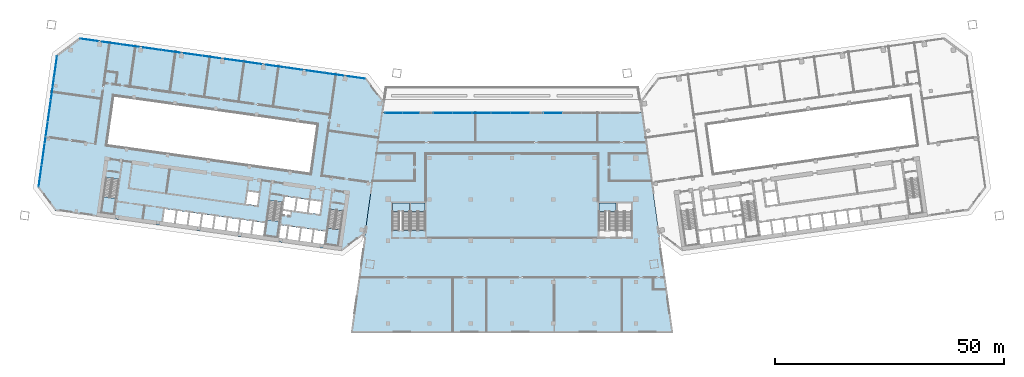
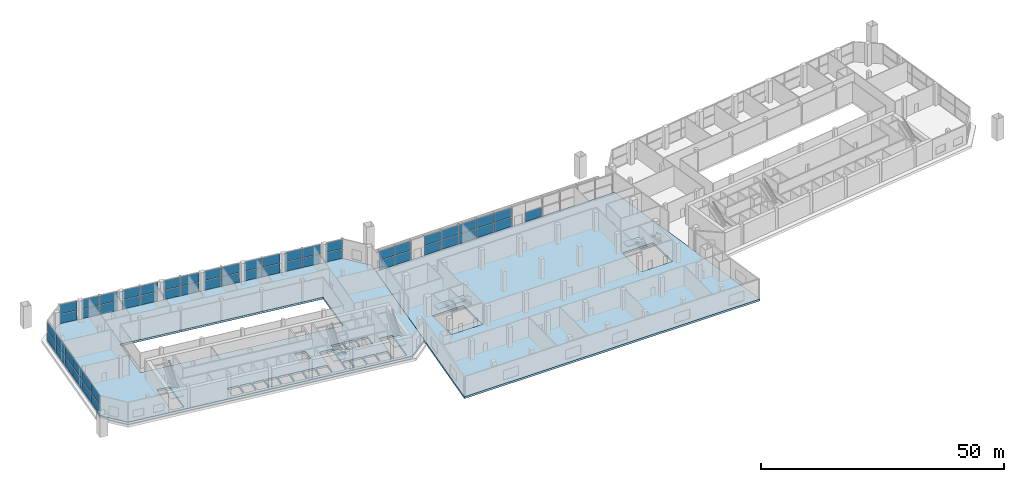
# One storey, part 8 of 23: 55 plates, 9 slabs, 11 elements without a shape of their own.
"""IFC4 building model written with IfcOpenShell, lengths in metres."""

from ifc_helpers import new_model, si_unit, direction, frame, origin, origin_2d, place, context, subcontext, project, spatial, polyline, rectangle, outline, extrude, material, layer, layer_set, type_object, element, aggregate, save


model = new_model("IFC4")

# Units and contexts
model_context = context("Model", 3, precision=1e-05, world=origin(), true_north=direction((0.0, 1.0)))
body_context = subcontext(model_context, "Body", "Model", "MODEL_VIEW")
ifc_project = project(units=[si_unit("LENGTHUNIT", "METRE"), si_unit("AREAUNIT", "SQUARE_METRE"), si_unit("VOLUMEUNIT", "CUBIC_METRE"), si_unit("PLANEANGLEUNIT", "RADIAN"), si_unit("MASSUNIT", "GRAM", prefix="KILO")], contexts=[model_context])

# Site, building, storey
site_placement = place(None, origin())
site = spatial("IfcSite", under=ifc_project, at=site_placement, CompositionType="ELEMENT")
building_placement = place(site_placement, origin())
building = spatial("IfcBuilding", under=site, at=building_placement, Name="Mirante Cascada Hotel Towers", CompositionType="ELEMENT")
storey_placement = place(building_placement, frame((0.0, 0.0, 29.0)))
storey = spatial("IfcBuildingStorey", under=building, at=storey_placement, Name="L04", CompositionType="ELEMENT", Elevation=29.0)

# Curtain wall, plates
ifc_material_1 = material(Name="Aluminium mullion and transom frame with clear laminated glass", Category="aluminium")
curtain_wall_type = type_object("IfcCurtainWallType", Name="Podium curtain wall ECW3", PredefinedType="NOTDEFINED", material=ifc_material_1)
curtain_wall_1_placement = place(storey_placement, origin())
curtain_wall_1 = element("IfcCurtainWall", 1, at=curtain_wall_1_placement, inside=storey, type_object=curtain_wall_type, Name="Front podium glazing T1 L04", PredefinedType="NOTDEFINED")
ifc_material_2 = material(Name="Clear laminated glass", Category="glass")
ifc_layer_1 = layer(ifc_material_2, 0.04)
ifc_layer_set_1 = layer_set([ifc_layer_1], Name="ECW3 glass panel 40")
plate_type = type_object("IfcPlateType", Name="ECW3 glass panel 40", PredefinedType="CURTAIN_PANEL", material=ifc_layer_set_1)
plate_1_placement = place(storey_placement, frame((-92.1787, 25.7739, 0.12), z_axis=(0.0, 0.0, 1.0), x_axis=(0.9902681, -0.1391731, 0.0)))
plate_1 = element("IfcPlate", 2, at=plate_1_placement, type_object=plate_type, Name="ECW3 panel 1", PredefinedType="CURTAIN_PANEL", context=body_context, shape_type="SweptSolid", body=[
    extrude(rectangle(XDim=3.8379, YDim=0.04, at=origin_2d()), origin(), (0.0, 0.0, 1.0), 2.32),
])
plate_2_placement = place(storey_placement, frame((-92.1787, 25.7739, 2.56), z_axis=(0.0, 0.0, 1.0), x_axis=(0.9902681, -0.1391731, 0.0)))
plate_2 = element("IfcPlate", 3, at=plate_2_placement, type_object=plate_type, Name="ECW3 panel 1", PredefinedType="CURTAIN_PANEL", context=body_context, shape_type="SweptSolid", body=[
    extrude(rectangle(XDim=3.8379, YDim=0.04, at=origin_2d()), origin(), (0.0, 0.0, 1.0), 2.32),
])
plate_3_placement = place(storey_placement, frame((-87.2757, 25.0848, 0.12), z_axis=(0.0, 0.0, 1.0), x_axis=(0.9902681, -0.1391731, 0.0)))
plate_3 = element("IfcPlate", 4, at=plate_3_placement, type_object=plate_type, Name="ECW3 panel 2", PredefinedType="CURTAIN_PANEL", context=body_context, shape_type="SweptSolid", body=[
    extrude(rectangle(XDim=3.9844, YDim=0.04, at=origin_2d()), origin(), (0.0, 0.0, 1.0), 2.32),
])
plate_4_placement = place(storey_placement, frame((-87.2757, 25.0848, 2.56), z_axis=(0.0, 0.0, 1.0), x_axis=(0.9902681, -0.1391731, 0.0)))
plate_4 = element("IfcPlate", 5, at=plate_4_placement, type_object=plate_type, Name="ECW3 panel 2", PredefinedType="CURTAIN_PANEL", context=body_context, shape_type="SweptSolid", body=[
    extrude(rectangle(XDim=3.9844, YDim=0.04, at=origin_2d()), origin(), (0.0, 0.0, 1.0), 2.32),
])
plate_5_placement = place(storey_placement, frame((-83.2949, 24.5254, 0.12), z_axis=(0.0, 0.0, 1.0), x_axis=(0.9902681, -0.1391731, 0.0)))
plate_5 = element("IfcPlate", 6, at=plate_5_placement, type_object=plate_type, Name="ECW3 panel 3", PredefinedType="CURTAIN_PANEL", context=body_context, shape_type="SweptSolid", body=[
    extrude(rectangle(XDim=3.8956, YDim=0.04, at=origin_2d()), origin(), (0.0, 0.0, 1.0), 2.32),
])
plate_6_placement = place(storey_placement, frame((-83.2949, 24.5254, 2.56), z_axis=(0.0, 0.0, 1.0), x_axis=(0.9902681, -0.1391731, 0.0)))
plate_6 = element("IfcPlate", 7, at=plate_6_placement, type_object=plate_type, Name="ECW3 panel 3", PredefinedType="CURTAIN_PANEL", context=body_context, shape_type="SweptSolid", body=[
    extrude(rectangle(XDim=3.8956, YDim=0.04, at=origin_2d()), origin(), (0.0, 0.0, 1.0), 2.32),
])
plate_7_placement = place(storey_placement, frame((-78.3721, 23.8335, 0.12), z_axis=(0.0, 0.0, 1.0), x_axis=(0.9902681, -0.1391731, 0.0)))
plate_7 = element("IfcPlate", 8, at=plate_7_placement, type_object=plate_type, Name="ECW3 panel 4", PredefinedType="CURTAIN_PANEL", context=body_context, shape_type="SweptSolid", body=[
    extrude(rectangle(XDim=3.9666, YDim=0.04, at=origin_2d()), origin(), (0.0, 0.0, 1.0), 2.32),
])
plate_8_placement = place(storey_placement, frame((-78.3721, 23.8335, 2.56), z_axis=(0.0, 0.0, 1.0), x_axis=(0.9902681, -0.1391731, 0.0)))
plate_8 = element("IfcPlate", 9, at=plate_8_placement, type_object=plate_type, Name="ECW3 panel 4", PredefinedType="CURTAIN_PANEL", context=body_context, shape_type="SweptSolid", body=[
    extrude(rectangle(XDim=3.9666, YDim=0.04, at=origin_2d()), origin(), (0.0, 0.0, 1.0), 2.32),
])
plate_9_placement = place(storey_placement, frame((-74.3912, 23.274, 0.12), z_axis=(0.0, 0.0, 1.0), x_axis=(0.9902681, -0.1391731, 0.0)))
plate_9 = element("IfcPlate", 10, at=plate_9_placement, type_object=plate_type, Name="ECW3 panel 5", PredefinedType="CURTAIN_PANEL", context=body_context, shape_type="SweptSolid", body=[
    extrude(rectangle(XDim=3.9134, YDim=0.04, at=origin_2d()), origin(), (0.0, 0.0, 1.0), 2.32),
])
plate_10_placement = place(storey_placement, frame((-74.3912, 23.274, 2.56), z_axis=(0.0, 0.0, 1.0), x_axis=(0.9902681, -0.1391731, 0.0)))
plate_10 = element("IfcPlate", 11, at=plate_10_placement, type_object=plate_type, Name="ECW3 panel 5", PredefinedType="CURTAIN_PANEL", context=body_context, shape_type="SweptSolid", body=[
    extrude(rectangle(XDim=3.9134, YDim=0.04, at=origin_2d()), origin(), (0.0, 0.0, 1.0), 2.32),
])
plate_11_placement = place(storey_placement, frame((-69.4685, 22.5822, 0.12), z_axis=(0.0, 0.0, 1.0), x_axis=(0.9902681, -0.1391731, 0.0)))
plate_11 = element("IfcPlate", 12, at=plate_11_placement, type_object=plate_type, Name="ECW3 panel 6", PredefinedType="CURTAIN_PANEL", context=body_context, shape_type="SweptSolid", body=[
    extrude(rectangle(XDim=3.9489, YDim=0.04, at=origin_2d()), origin(), (0.0, 0.0, 1.0), 2.32),
])
plate_12_placement = place(storey_placement, frame((-69.4685, 22.5822, 2.56), z_axis=(0.0, 0.0, 1.0), x_axis=(0.9902681, -0.1391731, 0.0)))
plate_12 = element("IfcPlate", 13, at=plate_12_placement, type_object=plate_type, Name="ECW3 panel 6", PredefinedType="CURTAIN_PANEL", context=body_context, shape_type="SweptSolid", body=[
    extrude(rectangle(XDim=3.9489, YDim=0.04, at=origin_2d()), origin(), (0.0, 0.0, 1.0), 2.32),
])
plate_13_placement = place(storey_placement, frame((-65.4876, 22.0227, 0.12), z_axis=(0.0, 0.0, 1.0), x_axis=(0.9902681, -0.1391731, 0.0)))
plate_13 = element("IfcPlate", 14, at=plate_13_placement, type_object=plate_type, Name="ECW3 panel 7", PredefinedType="CURTAIN_PANEL", context=body_context, shape_type="SweptSolid", body=[
    extrude(rectangle(XDim=3.9311, YDim=0.04, at=origin_2d()), origin(), (0.0, 0.0, 1.0), 2.32),
])
plate_14_placement = place(storey_placement, frame((-65.4876, 22.0227, 2.56), z_axis=(0.0, 0.0, 1.0), x_axis=(0.9902681, -0.1391731, 0.0)))
plate_14 = element("IfcPlate", 15, at=plate_14_placement, type_object=plate_type, Name="ECW3 panel 7", PredefinedType="CURTAIN_PANEL", context=body_context, shape_type="SweptSolid", body=[
    extrude(rectangle(XDim=3.9311, YDim=0.04, at=origin_2d()), origin(), (0.0, 0.0, 1.0), 2.32),
])
plate_15_placement = place(storey_placement, frame((-60.5649, 21.3309, 0.12), z_axis=(0.0, 0.0, 1.0), x_axis=(0.9902681, -0.1391731, 0.0)))
plate_15 = element("IfcPlate", 16, at=plate_15_placement, type_object=plate_type, Name="ECW3 panel 8", PredefinedType="CURTAIN_PANEL", context=body_context, shape_type="SweptSolid", body=[
    extrude(rectangle(XDim=3.9311, YDim=0.04, at=origin_2d()), origin(), (0.0, 0.0, 1.0), 2.32),
])
plate_16_placement = place(storey_placement, frame((-60.5649, 21.3309, 2.56), z_axis=(0.0, 0.0, 1.0), x_axis=(0.9902681, -0.1391731, 0.0)))
plate_16 = element("IfcPlate", 17, at=plate_16_placement, type_object=plate_type, Name="ECW3 panel 8", PredefinedType="CURTAIN_PANEL", context=body_context, shape_type="SweptSolid", body=[
    extrude(rectangle(XDim=3.9311, YDim=0.04, at=origin_2d()), origin(), (0.0, 0.0, 1.0), 2.32),
])
plate_17_placement = place(storey_placement, frame((-56.584, 20.7714, 0.12), z_axis=(0.0, 0.0, 1.0), x_axis=(0.9902681, -0.1391731, 0.0)))
plate_17 = element("IfcPlate", 18, at=plate_17_placement, type_object=plate_type, Name="ECW3 panel 9", PredefinedType="CURTAIN_PANEL", context=body_context, shape_type="SweptSolid", body=[
    extrude(rectangle(XDim=3.9489, YDim=0.04, at=origin_2d()), origin(), (0.0, 0.0, 1.0), 2.32),
])
plate_18_placement = place(storey_placement, frame((-56.584, 20.7714, 2.56), z_axis=(0.0, 0.0, 1.0), x_axis=(0.9902681, -0.1391731, 0.0)))
plate_18 = element("IfcPlate", 19, at=plate_18_placement, type_object=plate_type, Name="ECW3 panel 9", PredefinedType="CURTAIN_PANEL", context=body_context, shape_type="SweptSolid", body=[
    extrude(rectangle(XDim=3.9489, YDim=0.04, at=origin_2d()), origin(), (0.0, 0.0, 1.0), 2.32),
])
plate_19_placement = place(storey_placement, frame((-51.6612, 20.0795, 0.12), z_axis=(0.0, 0.0, 1.0), x_axis=(0.9902681, -0.1391731, 0.0)))
plate_19 = element("IfcPlate", 20, at=plate_19_placement, type_object=plate_type, Name="ECW3 panel 10", PredefinedType="CURTAIN_PANEL", context=body_context, shape_type="SweptSolid", body=[
    extrude(rectangle(XDim=3.9134, YDim=0.04, at=origin_2d()), origin(), (0.0, 0.0, 1.0), 2.32),
])
plate_20_placement = place(storey_placement, frame((-51.6612, 20.0795, 2.56), z_axis=(0.0, 0.0, 1.0), x_axis=(0.9902681, -0.1391731, 0.0)))
plate_20 = element("IfcPlate", 21, at=plate_20_placement, type_object=plate_type, Name="ECW3 panel 10", PredefinedType="CURTAIN_PANEL", context=body_context, shape_type="SweptSolid", body=[
    extrude(rectangle(XDim=3.9134, YDim=0.04, at=origin_2d()), origin(), (0.0, 0.0, 1.0), 2.32),
])
plate_21_placement = place(storey_placement, frame((-47.6804, 19.5201, 0.12), z_axis=(0.0, 0.0, 1.0), x_axis=(0.9902681, -0.1391731, 0.0)))
plate_21 = element("IfcPlate", 22, at=plate_21_placement, type_object=plate_type, Name="ECW3 panel 11", PredefinedType="CURTAIN_PANEL", context=body_context, shape_type="SweptSolid", body=[
    extrude(rectangle(XDim=3.9666, YDim=0.04, at=origin_2d()), origin(), (0.0, 0.0, 1.0), 2.32),
])
plate_22_placement = place(storey_placement, frame((-47.6804, 19.5201, 2.56), z_axis=(0.0, 0.0, 1.0), x_axis=(0.9902681, -0.1391731, 0.0)))
plate_22 = element("IfcPlate", 23, at=plate_22_placement, type_object=plate_type, Name="ECW3 panel 11", PredefinedType="CURTAIN_PANEL", context=body_context, shape_type="SweptSolid", body=[
    extrude(rectangle(XDim=3.9666, YDim=0.04, at=origin_2d()), origin(), (0.0, 0.0, 1.0), 2.32),
])
plate_23_placement = place(storey_placement, frame((-42.7576, 18.8282, 0.12), z_axis=(0.0, 0.0, 1.0), x_axis=(0.9902681, -0.1391731, 0.0)))
plate_23 = element("IfcPlate", 24, at=plate_23_placement, type_object=plate_type, Name="ECW3 panel 12", PredefinedType="CURTAIN_PANEL", context=body_context, shape_type="SweptSolid", body=[
    extrude(rectangle(XDim=3.8956, YDim=0.04, at=origin_2d()), origin(), (0.0, 0.0, 1.0), 2.32),
])
plate_24_placement = place(storey_placement, frame((-42.7576, 18.8282, 2.56), z_axis=(0.0, 0.0, 1.0), x_axis=(0.9902681, -0.1391731, 0.0)))
plate_24 = element("IfcPlate", 25, at=plate_24_placement, type_object=plate_type, Name="ECW3 panel 12", PredefinedType="CURTAIN_PANEL", context=body_context, shape_type="SweptSolid", body=[
    extrude(rectangle(XDim=3.8956, YDim=0.04, at=origin_2d()), origin(), (0.0, 0.0, 1.0), 2.32),
])
plate_25_placement = place(storey_placement, frame((-38.7767, 18.2687, 0.12), z_axis=(0.0, 0.0, 1.0), x_axis=(0.9902681, -0.1391731, 0.0)))
plate_25 = element("IfcPlate", 26, at=plate_25_placement, type_object=plate_type, Name="ECW3 panel 13", PredefinedType="CURTAIN_PANEL", context=body_context, shape_type="SweptSolid", body=[
    extrude(rectangle(XDim=3.9844, YDim=0.04, at=origin_2d()), origin(), (0.0, 0.0, 1.0), 2.32),
])
plate_26_placement = place(storey_placement, frame((-38.7767, 18.2687, 2.56), z_axis=(0.0, 0.0, 1.0), x_axis=(0.9902681, -0.1391731, 0.0)))
plate_26 = element("IfcPlate", 27, at=plate_26_placement, type_object=plate_type, Name="ECW3 panel 13", PredefinedType="CURTAIN_PANEL", context=body_context, shape_type="SweptSolid", body=[
    extrude(rectangle(XDim=3.9844, YDim=0.04, at=origin_2d()), origin(), (0.0, 0.0, 1.0), 2.32),
])
plate_27_placement = place(storey_placement, frame((-33.8738, 17.5797, 0.12), z_axis=(0.0, 0.0, 1.0), x_axis=(0.9902681, -0.1391731, 0.0)))
plate_27 = element("IfcPlate", 28, at=plate_27_placement, type_object=plate_type, Name="ECW3 panel 14", PredefinedType="CURTAIN_PANEL", context=body_context, shape_type="SweptSolid", body=[
    extrude(rectangle(XDim=3.8379, YDim=0.04, at=origin_2d()), origin(), (0.0, 0.0, 1.0), 2.32),
])
plate_28_placement = place(storey_placement, frame((-33.8738, 17.5797, 2.56), z_axis=(0.0, 0.0, 1.0), x_axis=(0.9902681, -0.1391731, 0.0)))
plate_28 = element("IfcPlate", 29, at=plate_28_placement, type_object=plate_type, Name="ECW3 panel 14", PredefinedType="CURTAIN_PANEL", context=body_context, shape_type="SweptSolid", body=[
    extrude(rectangle(XDim=3.8379, YDim=0.04, at=origin_2d()), origin(), (0.0, 0.0, 1.0), 2.32),
])
aggregate(curtain_wall_1, [plate_1, plate_2, plate_3, plate_4, plate_5, plate_6, plate_7, plate_8, plate_9, plate_10, plate_11, plate_12, plate_13, plate_14, plate_15, plate_16, plate_17, plate_18, plate_19, plate_20, plate_21, plate_22, plate_23, plate_24, plate_25, plate_26, plate_27, plate_28])

curtain_wall_2_placement = place(storey_placement, origin())
curtain_wall_2 = element("IfcCurtainWall", 30, at=curtain_wall_2_placement, inside=storey, type_object=curtain_wall_type, Name="Outer end podium glazing T1 L04", PredefinedType="NOTDEFINED")
plate_29_placement = place(storey_placement, frame((-102.8224, -3.8951, 0.12), z_axis=(0.0, 0.0, 1.0), x_axis=(0.1391731, 0.9902681, 0.0)))
plate_29 = element("IfcPlate", 31, at=plate_29_placement, type_object=plate_type, Name="ECW3 panel 1", PredefinedType="CURTAIN_PANEL", context=body_context, shape_type="SweptSolid", body=[
    extrude(rectangle(XDim=4.6926, YDim=0.04, at=origin_2d()), origin(), (0.0, 0.0, 1.0), 2.32),
])
plate_30_placement = place(storey_placement, frame((-102.8224, -3.8951, 2.56), z_axis=(0.0, 0.0, 1.0), x_axis=(0.1391731, 0.9902681, 0.0)))
plate_30 = element("IfcPlate", 32, at=plate_30_placement, type_object=plate_type, Name="ECW3 panel 1", PredefinedType="CURTAIN_PANEL", context=body_context, shape_type="SweptSolid", body=[
    extrude(rectangle(XDim=4.6926, YDim=0.04, at=origin_2d()), origin(), (0.0, 0.0, 1.0), 2.32),
])
plate_31_placement = place(storey_placement, frame((-102.1554, 0.8509, 0.12), z_axis=(0.0, 0.0, 1.0), x_axis=(0.1391731, 0.9902681, 0.0)))
plate_31 = element("IfcPlate", 33, at=plate_31_placement, type_object=plate_type, Name="ECW3 panel 2", PredefinedType="CURTAIN_PANEL", context=body_context, shape_type="SweptSolid", body=[
    extrude(rectangle(XDim=4.7326, YDim=0.04, at=origin_2d()), origin(), (0.0, 0.0, 1.0), 2.32),
])
plate_32_placement = place(storey_placement, frame((-102.1554, 0.8509, 2.56), z_axis=(0.0, 0.0, 1.0), x_axis=(0.1391731, 0.9902681, 0.0)))
plate_32 = element("IfcPlate", 34, at=plate_32_placement, type_object=plate_type, Name="ECW3 panel 2", PredefinedType="CURTAIN_PANEL", context=body_context, shape_type="SweptSolid", body=[
    extrude(rectangle(XDim=4.7326, YDim=0.04, at=origin_2d()), origin(), (0.0, 0.0, 1.0), 2.32),
])
plate_33_placement = place(storey_placement, frame((-101.4857, 5.6167, 0.12), z_axis=(0.0, 0.0, 1.0), x_axis=(0.1391731, 0.9902681, 0.0)))
plate_33 = element("IfcPlate", 35, at=plate_33_placement, type_object=plate_type, Name="ECW3 panel 3", PredefinedType="CURTAIN_PANEL", context=body_context, shape_type="SweptSolid", body=[
    extrude(rectangle(XDim=4.7326, YDim=0.04, at=origin_2d()), origin(), (0.0, 0.0, 1.0), 2.32),
])
plate_34_placement = place(storey_placement, frame((-101.4857, 5.6167, 2.56), z_axis=(0.0, 0.0, 1.0), x_axis=(0.1391731, 0.9902681, 0.0)))
plate_34 = element("IfcPlate", 36, at=plate_34_placement, type_object=plate_type, Name="ECW3 panel 3", PredefinedType="CURTAIN_PANEL", context=body_context, shape_type="SweptSolid", body=[
    extrude(rectangle(XDim=4.7326, YDim=0.04, at=origin_2d()), origin(), (0.0, 0.0, 1.0), 2.32),
])
plate_35_placement = place(storey_placement, frame((-100.8159, 10.3825, 0.12), z_axis=(0.0, 0.0, 1.0), x_axis=(0.1391731, 0.9902681, 0.0)))
plate_35 = element("IfcPlate", 37, at=plate_35_placement, type_object=plate_type, Name="ECW3 panel 4", PredefinedType="CURTAIN_PANEL", context=body_context, shape_type="SweptSolid", body=[
    extrude(rectangle(XDim=4.7326, YDim=0.04, at=origin_2d()), origin(), (0.0, 0.0, 1.0), 2.32),
])
plate_36_placement = place(storey_placement, frame((-100.8159, 10.3825, 2.56), z_axis=(0.0, 0.0, 1.0), x_axis=(0.1391731, 0.9902681, 0.0)))
plate_36 = element("IfcPlate", 38, at=plate_36_placement, type_object=plate_type, Name="ECW3 panel 4", PredefinedType="CURTAIN_PANEL", context=body_context, shape_type="SweptSolid", body=[
    extrude(rectangle(XDim=4.7326, YDim=0.04, at=origin_2d()), origin(), (0.0, 0.0, 1.0), 2.32),
])
plate_37_placement = place(storey_placement, frame((-100.1461, 15.1483, 0.12), z_axis=(0.0, 0.0, 1.0), x_axis=(0.1391731, 0.9902681, 0.0)))
plate_37 = element("IfcPlate", 39, at=plate_37_placement, type_object=plate_type, Name="ECW3 panel 5", PredefinedType="CURTAIN_PANEL", context=body_context, shape_type="SweptSolid", body=[
    extrude(rectangle(XDim=4.7326, YDim=0.04, at=origin_2d()), origin(), (0.0, 0.0, 1.0), 2.32),
])
plate_38_placement = place(storey_placement, frame((-100.1461, 15.1483, 2.56), z_axis=(0.0, 0.0, 1.0), x_axis=(0.1391731, 0.9902681, 0.0)))
plate_38 = element("IfcPlate", 40, at=plate_38_placement, type_object=plate_type, Name="ECW3 panel 5", PredefinedType="CURTAIN_PANEL", context=body_context, shape_type="SweptSolid", body=[
    extrude(rectangle(XDim=4.7326, YDim=0.04, at=origin_2d()), origin(), (0.0, 0.0, 1.0), 2.32),
])
plate_39_placement = place(storey_placement, frame((-99.4791, 19.8942, 0.12), z_axis=(0.0, 0.0, 1.0), x_axis=(0.1391731, 0.9902681, 0.0)))
plate_39 = element("IfcPlate", 41, at=plate_39_placement, type_object=plate_type, Name="ECW3 panel 6", PredefinedType="CURTAIN_PANEL", context=body_context, shape_type="SweptSolid", body=[
    extrude(rectangle(XDim=4.6926, YDim=0.04, at=origin_2d()), origin(), (0.0, 0.0, 1.0), 2.32),
])
plate_40_placement = place(storey_placement, frame((-99.4791, 19.8942, 2.56), z_axis=(0.0, 0.0, 1.0), x_axis=(0.1391731, 0.9902681, 0.0)))
plate_40 = element("IfcPlate", 42, at=plate_40_placement, type_object=plate_type, Name="ECW3 panel 6", PredefinedType="CURTAIN_PANEL", context=body_context, shape_type="SweptSolid", body=[
    extrude(rectangle(XDim=4.6926, YDim=0.04, at=origin_2d()), origin(), (0.0, 0.0, 1.0), 2.32),
])
aggregate(curtain_wall_2, [plate_29, plate_30, plate_31, plate_32, plate_33, plate_34, plate_35, plate_36, plate_37, plate_38, plate_39, plate_40])

# Curtain wall, plate
curtain_wall_3_placement = place(storey_placement, origin())
curtain_wall_3 = element("IfcCurtainWall", 43, at=curtain_wall_3_placement, inside=storey, type_object=curtain_wall_type, Name="Podium curtain wall L04 run 3.1", PredefinedType="NOTDEFINED")
plate_41_placement = place(storey_placement, frame((8.9261, 9.85, 0.12), z_axis=(0.0, 0.0, 1.0), x_axis=(-1.0, 0.0, 0.0)))
plate_41 = element("IfcPlate", 44, at=plate_41_placement, type_object=plate_type, Name="ECW3 panel 5", PredefinedType="CURTAIN_PANEL", context=body_context, shape_type="SweptSolid", body=[
    extrude(rectangle(XDim=4.0581, YDim=0.04, at=origin_2d()), origin(), (0.0, 0.0, 1.0), 2.32),
])
aggregate(curtain_wall_3, [plate_41])

# Curtain wall, plates
curtain_wall_4_placement = place(storey_placement, origin())
curtain_wall_4 = element("IfcCurtainWall", 45, at=curtain_wall_4_placement, inside=storey, type_object=curtain_wall_type, Name="Podium curtain wall L04 run 3.3", PredefinedType="NOTDEFINED")
plate_42_placement = place(storey_placement, frame((1.7045, 9.85, 0.12), z_axis=(0.0, 0.0, 1.0), x_axis=(-1.0, 0.0, 0.0)))
plate_42 = element("IfcPlate", 46, at=plate_42_placement, type_object=plate_type, Name="ECW3 panel 1", PredefinedType="CURTAIN_PANEL", context=body_context, shape_type="SweptSolid", body=[
    extrude(rectangle(XDim=4.065, YDim=0.04, at=origin_2d()), origin(), (0.0, 0.0, 1.0), 2.32),
])
plate_43_placement = place(storey_placement, frame((1.7045, 9.85, 2.56), z_axis=(0.0, 0.0, 1.0), x_axis=(-1.0, 0.0, 0.0)))
plate_43 = element("IfcPlate", 47, at=plate_43_placement, type_object=plate_type, Name="ECW3 panel 1", PredefinedType="CURTAIN_PANEL", context=body_context, shape_type="SweptSolid", body=[
    extrude(rectangle(XDim=4.065, YDim=0.04, at=origin_2d()), origin(), (0.0, 0.0, 1.0), 2.32),
])
plate_44_placement = place(storey_placement, frame((-2.4605, 9.85, 0.12), z_axis=(0.0, 0.0, 1.0), x_axis=(-1.0, 0.0, 0.0)))
plate_44 = element("IfcPlate", 48, at=plate_44_placement, type_object=plate_type, Name="ECW3 panel 2", PredefinedType="CURTAIN_PANEL", context=body_context, shape_type="SweptSolid", body=[
    extrude(rectangle(XDim=4.105, YDim=0.04, at=origin_2d()), origin(), (0.0, 0.0, 1.0), 2.32),
])
plate_45_placement = place(storey_placement, frame((-2.4605, 9.85, 2.56), z_axis=(0.0, 0.0, 1.0), x_axis=(-1.0, 0.0, 0.0)))
plate_45 = element("IfcPlate", 49, at=plate_45_placement, type_object=plate_type, Name="ECW3 panel 2", PredefinedType="CURTAIN_PANEL", context=body_context, shape_type="SweptSolid", body=[
    extrude(rectangle(XDim=4.105, YDim=0.04, at=origin_2d()), origin(), (0.0, 0.0, 1.0), 2.32),
])
plate_46_placement = place(storey_placement, frame((-6.6455, 9.85, 0.12), z_axis=(0.0, 0.0, 1.0), x_axis=(-1.0, 0.0, 0.0)))
plate_46 = element("IfcPlate", 50, at=plate_46_placement, type_object=plate_type, Name="ECW3 panel 3", PredefinedType="CURTAIN_PANEL", context=body_context, shape_type="SweptSolid", body=[
    extrude(rectangle(XDim=4.105, YDim=0.04, at=origin_2d()), origin(), (0.0, 0.0, 1.0), 2.32),
])
plate_47_placement = place(storey_placement, frame((-6.6455, 9.85, 2.56), z_axis=(0.0, 0.0, 1.0), x_axis=(-1.0, 0.0, 0.0)))
plate_47 = element("IfcPlate", 51, at=plate_47_placement, type_object=plate_type, Name="ECW3 panel 3", PredefinedType="CURTAIN_PANEL", context=body_context, shape_type="SweptSolid", body=[
    extrude(rectangle(XDim=4.105, YDim=0.04, at=origin_2d()), origin(), (0.0, 0.0, 1.0), 2.32),
])
plate_48_placement = place(storey_placement, frame((-10.8305, 9.85, 0.12), z_axis=(0.0, 0.0, 1.0), x_axis=(-1.0, 0.0, 0.0)))
plate_48 = element("IfcPlate", 52, at=plate_48_placement, type_object=plate_type, Name="ECW3 panel 4", PredefinedType="CURTAIN_PANEL", context=body_context, shape_type="SweptSolid", body=[
    extrude(rectangle(XDim=4.105, YDim=0.04, at=origin_2d()), origin(), (0.0, 0.0, 1.0), 2.32),
])
plate_49_placement = place(storey_placement, frame((-10.8305, 9.85, 2.56), z_axis=(0.0, 0.0, 1.0), x_axis=(-1.0, 0.0, 0.0)))
plate_49 = element("IfcPlate", 53, at=plate_49_placement, type_object=plate_type, Name="ECW3 panel 4", PredefinedType="CURTAIN_PANEL", context=body_context, shape_type="SweptSolid", body=[
    extrude(rectangle(XDim=4.105, YDim=0.04, at=origin_2d()), origin(), (0.0, 0.0, 1.0), 2.32),
])
plate_50_placement = place(storey_placement, frame((-14.9955, 9.85, 0.12), z_axis=(0.0, 0.0, 1.0), x_axis=(-1.0, 0.0, 0.0)))
plate_50 = element("IfcPlate", 54, at=plate_50_placement, type_object=plate_type, Name="ECW3 panel 5", PredefinedType="CURTAIN_PANEL", context=body_context, shape_type="SweptSolid", body=[
    extrude(rectangle(XDim=4.065, YDim=0.04, at=origin_2d()), origin(), (0.0, 0.0, 1.0), 2.32),
])
plate_51_placement = place(storey_placement, frame((-14.9955, 9.85, 2.56), z_axis=(0.0, 0.0, 1.0), x_axis=(-1.0, 0.0, 0.0)))
plate_51 = element("IfcPlate", 55, at=plate_51_placement, type_object=plate_type, Name="ECW3 panel 5", PredefinedType="CURTAIN_PANEL", context=body_context, shape_type="SweptSolid", body=[
    extrude(rectangle(XDim=4.065, YDim=0.04, at=origin_2d()), origin(), (0.0, 0.0, 1.0), 2.32),
])
aggregate(curtain_wall_4, [plate_42, plate_43, plate_44, plate_45, plate_46, plate_47, plate_48, plate_49, plate_50, plate_51])

curtain_wall_5_placement = place(storey_placement, origin())
curtain_wall_5 = element("IfcCurtainWall", 56, at=curtain_wall_5_placement, inside=storey, type_object=curtain_wall_type, Name="Podium curtain wall L04 run 3.5", PredefinedType="NOTDEFINED")
plate_52_placement = place(storey_placement, frame((-22.0279, 9.85, 0.12), z_axis=(0.0, 0.0, 1.0), x_axis=(-1.0, 0.0, 0.0)))
plate_52 = element("IfcPlate", 57, at=plate_52_placement, type_object=plate_type, Name="ECW3 panel 1", PredefinedType="CURTAIN_PANEL", context=body_context, shape_type="SweptSolid", body=[
    extrude(rectangle(XDim=3.6798, YDim=0.04, at=origin_2d()), origin(), (0.0, 0.0, 1.0), 2.32),
])
plate_53_placement = place(storey_placement, frame((-22.0279, 9.85, 2.56), z_axis=(0.0, 0.0, 1.0), x_axis=(-1.0, 0.0, 0.0)))
plate_53 = element("IfcPlate", 58, at=plate_53_placement, type_object=plate_type, Name="ECW3 panel 1", PredefinedType="CURTAIN_PANEL", context=body_context, shape_type="SweptSolid", body=[
    extrude(rectangle(XDim=3.6798, YDim=0.04, at=origin_2d()), origin(), (0.0, 0.0, 1.0), 2.32),
])
plate_54_placement = place(storey_placement, frame((-25.7877, 9.85, 0.12), z_axis=(0.0, 0.0, 1.0), x_axis=(-1.0, 0.0, 0.0)))
plate_54 = element("IfcPlate", 59, at=plate_54_placement, type_object=plate_type, Name="ECW3 panel 2", PredefinedType="CURTAIN_PANEL", context=body_context, shape_type="SweptSolid", body=[
    extrude(rectangle(XDim=3.6798, YDim=0.04, at=origin_2d()), origin(), (0.0, 0.0, 1.0), 2.32),
])
plate_55_placement = place(storey_placement, frame((-25.7877, 9.85, 2.56), z_axis=(0.0, 0.0, 1.0), x_axis=(-1.0, 0.0, 0.0)))
plate_55 = element("IfcPlate", 60, at=plate_55_placement, type_object=plate_type, Name="ECW3 panel 2", PredefinedType="CURTAIN_PANEL", context=body_context, shape_type="SweptSolid", body=[
    extrude(rectangle(XDim=3.6798, YDim=0.04, at=origin_2d()), origin(), (0.0, 0.0, 1.0), 2.32),
])
aggregate(curtain_wall_5, [plate_52, plate_53, plate_54, plate_55])

# Stair, slab
ifc_material_3 = material(Name="Concrete C35/45", Category="concrete")
stair_type_1 = type_object("IfcStairType", Name="Exit stair half-turn 1350 concrete C35/45", PredefinedType="HALF_TURN_STAIR", material=ifc_material_3)
stair_1_placement = place(storey_placement, origin())
stair_1 = element("IfcStair", 61, at=stair_1_placement, inside=storey, type_object=stair_type_1, Name="L04 Exit stair A", PredefinedType="HALF_TURN_STAIR")
ifc_material_4 = material(Name="Concrete C35/45", Category="concrete")
ifc_layer_2 = layer(ifc_material_4, 0.2)
ifc_layer_set_2 = layer_set([ifc_layer_2], Name="Exit stair landing 200 concrete C35/45")
slab_type_1 = type_object("IfcSlabType", Name="Exit stair landing 200 concrete C35/45", PredefinedType="LANDING", material=ifc_layer_set_2)
slab_1_placement = place(storey_placement, frame((0.0, 0.0, 2.55)))
slab_1 = element("IfcSlab", 62, at=slab_1_placement, type_object=slab_type_1, Name="ST1-A landing 1", PredefinedType="LANDING", context=body_context, shape_type="SweptSolid", body=[
    extrude(outline(polyline([(-40.1936, -15.2523), (-40.6887, -18.7757), (-37.8665, -19.1723), (-37.3713, -15.6489), (-40.1936, -15.2523)])), origin(), (0.0, 0.0, 1.0), 0.2),
])
aggregate(stair_1, [slab_1])

stair_2_placement = place(storey_placement, origin())
stair_2 = element("IfcStair", 63, at=stair_2_placement, inside=storey, type_object=stair_type_1, Name="L04 Exit stair B", PredefinedType="HALF_TURN_STAIR")
slab_2_placement = place(storey_placement, frame((0.0, 0.0, 2.55)))
slab_2 = element("IfcSlab", 64, at=slab_2_placement, type_object=slab_type_1, Name="ST1-B landing 1", PredefinedType="LANDING", context=body_context, shape_type="SweptSolid", body=[
    extrude(outline(polyline([(-53.4136, -13.3943), (-53.9088, -16.9177), (-51.0866, -17.3144), (-50.5914, -13.791), (-53.4136, -13.3943)])), origin(), (0.0, 0.0, 1.0), 0.2),
])
aggregate(stair_2, [slab_2])

stair_3_placement = place(storey_placement, origin())
stair_3 = element("IfcStair", 65, at=stair_3_placement, inside=storey, type_object=stair_type_1, Name="L04 Exit stair C", PredefinedType="HALF_TURN_STAIR")
slab_3_placement = place(storey_placement, frame((0.0, 0.0, 2.55)))
slab_3 = element("IfcSlab", 66, at=slab_3_placement, type_object=slab_type_1, Name="ST1-C landing 1", PredefinedType="LANDING", context=body_context, shape_type="SweptSolid", body=[
    extrude(outline(polyline([(-89.0633, -8.3841), (-89.5585, -11.9075), (-86.7362, -12.3041), (-86.241, -8.7808), (-89.0633, -8.3841)])), origin(), (0.0, 0.0, 1.0), 0.2),
])
aggregate(stair_3, [slab_3])

# Slab
ifc_material_5 = material(Name="Concrete C35/45", Category="concrete")
ifc_layer_3 = layer(ifc_material_5, 0.5)
ifc_layer_set_3 = layer_set([ifc_layer_3], Name="Floor slab 500 C35/45")
slab_type_2 = type_object("IfcSlabType", Name="Floor slab 500 C35/45", PredefinedType="FLOOR", material=ifc_layer_set_3)
slab_4_placement = place(storey_placement, frame((0.0, 0.0, -0.5)))
element("IfcSlab", 67, at=slab_4_placement, inside=storey, type_object=slab_type_2, Name="Podium floor slab L04", PredefinedType="FLOOR", context=body_context, shape_type="SweptSolid", body=[
    extrude(outline(polyline([(-28.3135, 10.0), (28.3135, 10.0), (35.0595, -38.0), (-35.0595, -38.0), (-28.3135, 10.0)]), holes=[polyline([(26.2, -17.4), (26.2, -9.6), (18.8, -9.6), (18.8, -17.4), (26.2, -17.4)]), polyline([(-18.8, -17.4), (-18.8, -9.6), (-26.2, -9.6), (-26.2, -17.4), (-18.8, -17.4)])]), origin(), (0.0, 0.0, 1.0), 0.5),
])

# Stair, slab
ifc_material_6 = material(Name="Concrete C35/45", Category="concrete")
stair_type_2 = type_object("IfcStairType", Name="Podium exit stair half-turn 1500 concrete C35/45", PredefinedType="HALF_TURN_STAIR", material=ifc_material_6)
stair_4_placement = place(storey_placement, origin())
stair_4 = element("IfcStair", 68, at=stair_4_placement, inside=storey, type_object=stair_type_2, Name="L04 Podium exit stair 3", PredefinedType="HALF_TURN_STAIR")
ifc_material_7 = material(Name="Concrete C35/45", Category="concrete")
ifc_layer_4 = layer(ifc_material_7, 0.2)
ifc_layer_set_4 = layer_set([ifc_layer_4], Name="Podium exit stair landing 200 concrete C35/45")
slab_type_3 = type_object("IfcSlabType", Name="Podium exit stair landing 200 concrete C35/45", PredefinedType="LANDING", material=ifc_layer_set_4)
slab_5_placement = place(storey_placement, frame((0.0, 0.0, 2.55)))
slab_5 = element("IfcSlab", 69, at=slab_5_placement, type_object=slab_type_3, Name="PS1 landing 1", PredefinedType="LANDING", context=body_context, shape_type="SweptSolid", body=[
    extrude(outline(polyline([(-18.925, -11.575), (-18.925, -9.725), (-22.075, -9.725), (-22.075, -11.575), (-18.925, -11.575)])), origin(), (0.0, 0.0, 1.0), 0.2),
])
aggregate(stair_4, [slab_5])

stair_5_placement = place(storey_placement, origin())
stair_5 = element("IfcStair", 70, at=stair_5_placement, inside=storey, type_object=stair_type_2, Name="L04 Podium exit stair 5", PredefinedType="HALF_TURN_STAIR")
slab_6_placement = place(storey_placement, frame((0.0, 0.0, 2.55)))
slab_6 = element("IfcSlab", 71, at=slab_6_placement, type_object=slab_type_3, Name="PS3 landing 1", PredefinedType="LANDING", context=body_context, shape_type="SweptSolid", body=[
    extrude(outline(polyline([(-22.325, -11.575), (-22.325, -9.725), (-26.075, -9.725), (-26.075, -11.575), (-22.325, -11.575)])), origin(), (0.0, 0.0, 1.0), 0.2),
])
aggregate(stair_5, [slab_6])

stair_6_placement = place(storey_placement, origin())
stair_6 = element("IfcStair", 72, at=stair_6_placement, inside=storey, type_object=stair_type_2, Name="L04 Podium exit stair 6", PredefinedType="HALF_TURN_STAIR")
slab_7_placement = place(storey_placement, frame((0.0, 0.0, 2.55)))
slab_7 = element("IfcSlab", 73, at=slab_7_placement, type_object=slab_type_3, Name="PS4 landing 1", PredefinedType="LANDING", context=body_context, shape_type="SweptSolid", body=[
    extrude(outline(polyline([(22.675, -11.575), (22.675, -9.725), (18.925, -9.725), (18.925, -11.575), (22.675, -11.575)])), origin(), (0.0, 0.0, 1.0), 0.2),
])
aggregate(stair_6, [slab_7])

# Slabs
ifc_material_8 = material(Name="Concrete C40/50", Category="concrete")
ifc_layer_5 = layer(ifc_material_8, 0.5)
ifc_layer_set_5 = layer_set([ifc_layer_5], Name="Post-tensioned flat plate 500 Concrete C40/50")
slab_type_4 = type_object("IfcSlabType", Name="Post-tensioned flat plate 500 Concrete C40/50", PredefinedType="FLOOR", material=ifc_layer_set_5)
slab_8_placement = place(storey_placement, frame((0.0, 0.0, -0.5)))
element("IfcSlab", 74, at=slab_8_placement, inside=storey, type_object=slab_type_4, Name="Floor T1 L04", PredefinedType="FLOOR", context=body_context, shape_type="SweptSolid", body=[
    extrude(outline(polyline([(-32.018, -16.3589), (-27.982, 12.3589), (-31.8119, 17.4414), (-94.1988, 26.2093), (-99.2813, 22.3794), (-103.3173, -6.3384), (-99.4874, -11.4209), (-37.1005, -20.1888), (-32.018, -16.3589)]), holes=[polyline([(-43.0718, -15.6132), (-40.5961, -15.9612), (-40.9858, -18.7339), (-43.4615, -18.386), (-43.0718, -15.6132)]), polyline([(-45.8446, -15.2236), (-43.3689, -15.5715), (-43.7586, -18.3442), (-46.2342, -17.9963), (-45.8446, -15.2236)]), polyline([(-48.6173, -14.8339), (-46.1416, -15.1818), (-46.5313, -17.9546), (-49.007, -17.6066), (-48.6173, -14.8339)]), polyline([(-50.7895, -17.3561), (-50.3998, -14.5834), (-48.9144, -14.7921), (-49.3041, -17.5649), (-50.7895, -17.3561)]), polyline([(-56.6816, -16.528), (-56.2919, -13.7553), (-53.8162, -14.1032), (-54.2059, -16.876), (-56.6816, -16.528)]), polyline([(-36.7887, -11.5037), (-37.8665, -19.1723), (-40.6887, -18.7757), (-39.611, -11.107), (-36.7887, -11.5037)]), polyline([(-50.0088, -9.6457), (-51.0866, -17.3144), (-53.9088, -16.9177), (-52.8311, -9.2491), (-50.0088, -9.6457)]), polyline([(-49.9544, -11.4145), (-48.1472, -11.6685), (-48.2829, -12.634), (-50.0901, -12.38), (-49.9544, -11.4145)]), polyline([(-44.3672, -11.8968), (-43.9775, -9.124), (-41.5018, -9.472), (-41.8915, -12.2447), (-44.3672, -11.8968)]), polyline([(-47.1399, -11.5071), (-46.7503, -8.7344), (-44.2746, -9.0823), (-44.6643, -11.855), (-47.1399, -11.5071)]), polyline([(-49.523, -8.3447), (-47.0473, -8.6926), (-47.437, -11.4654), (-49.9127, -11.1174), (-49.523, -8.3447)]), polyline([(-59.0646, -13.3656), (-56.589, -13.7135), (-56.9787, -16.4863), (-59.4543, -16.1383), (-59.0646, -13.3656)]), polyline([(-61.8374, -12.9759), (-59.3617, -13.3238), (-59.7514, -16.0966), (-62.2271, -15.7487), (-61.8374, -12.9759)]), polyline([(-64.9998, -15.359), (-64.6101, -12.5862), (-62.1345, -12.9342), (-62.5242, -15.7069), (-64.9998, -15.359)]), polyline([(-67.7726, -14.9693), (-67.3829, -12.1965), (-64.9072, -12.5445), (-65.2969, -15.3172), (-67.7726, -14.9693)]), polyline([(-70.1556, -11.8069), (-67.68, -12.1548), (-68.0697, -14.9275), (-70.5453, -14.5796), (-70.1556, -11.8069)]), polyline([(-73.3181, -14.1899), (-72.9284, -11.4172), (-70.4527, -11.7651), (-70.8424, -14.5379), (-73.3181, -14.1899)]), polyline([(-76.0908, -13.8002), (-75.7011, -11.0275), (-73.2255, -11.3754), (-73.6152, -14.1482), (-76.0908, -13.8002)]), polyline([(-85.6585, -4.6355), (-86.7362, -12.3041), (-89.5585, -11.9075), (-88.4807, -4.2388), (-85.6585, -4.6355)]), polyline([(-57.9834, -9.9832), (-57.5937, -7.2104), (-55.118, -7.5583), (-55.5077, -10.3311), (-57.9834, -9.9832)]), polyline([(-88.4039, 2.7747), (-86.873, 13.6677), (-42.3109, 7.4049), (-43.8418, -3.4881), (-88.4039, 2.7747)])]), origin(), (0.0, 0.0, 1.0), 0.5),
])
ifc_material_9 = material(Name="Concrete C35/45", Category="concrete")
ifc_layer_6 = layer(ifc_material_9, 0.5)
ifc_layer_set_6 = layer_set([ifc_layer_6], Name="Stair floor landing 500 concrete C35/45")
slab_type_5 = type_object("IfcSlabType", Name="Stair floor landing 500 concrete C35/45", PredefinedType="LANDING", material=ifc_layer_set_6)
slab_9_placement = place(storey_placement, frame((0.0, 0.0, -0.5)))
element("IfcSlab", 75, at=slab_9_placement, inside=storey, type_object=slab_type_5, Name="Exit stair 3 floor landing L04", PredefinedType="LANDING", context=body_context, shape_type="SweptSolid", body=[
    extrude(outline(polyline([(-26.2, -17.4), (-18.8, -17.4), (-18.8, -15.775), (-26.2, -15.775), (-26.2, -17.4)])), origin(), (0.0, 0.0, 1.0), 0.5),
])

save(model, "model.ifc")
